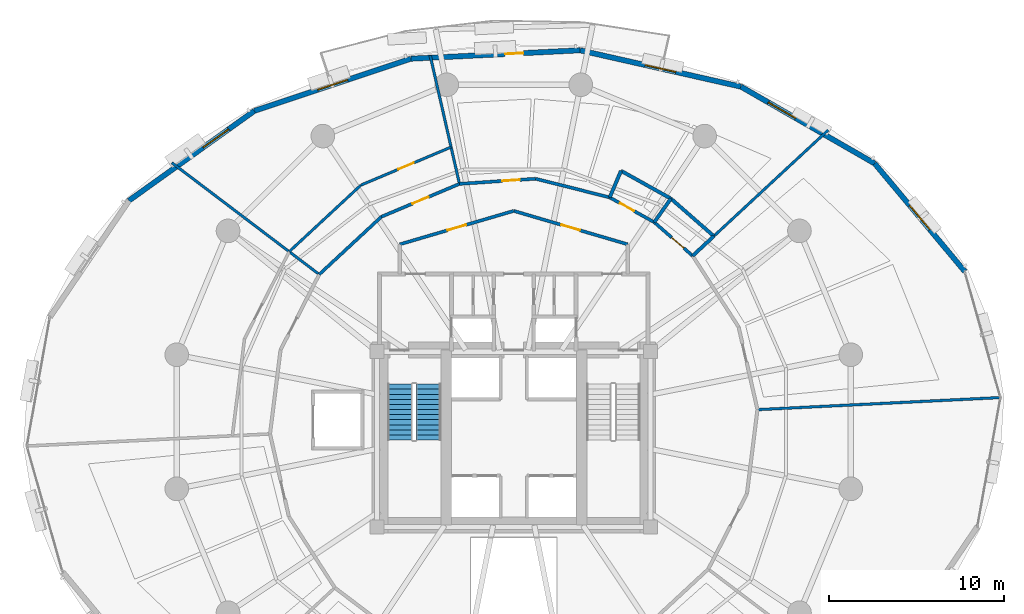
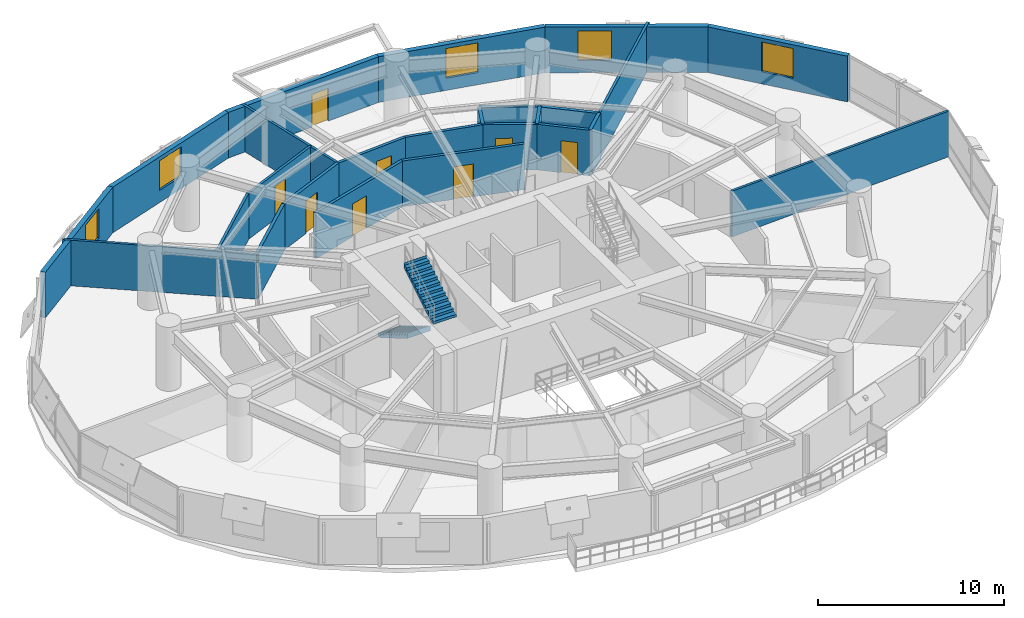
# One storey, part 12 of 16: 25 walls, 8 doors, 5 windows, 2 stair flights, 13 openings, 1 element without a shape of its own.
"""IFC4 building model written with IfcOpenShell, lengths in metres."""

from ifc_helpers import new_model, si_unit, direction, frame, frame_2d, origin, place, context, subcontext, project, spatial, polyline, rectangle, outline, extrude, material, layer, layer_set, type_object, element, fill, aggregate, save


model = new_model("IFC4")

# Units and contexts
model_context = context("Model", 3, precision=1e-05, world=origin(), true_north=direction((0.0, 1.0)))
body_context = subcontext(model_context, "Body", "Model", "MODEL_VIEW")
ifc_project = project(units=[si_unit("LENGTHUNIT", "METRE"), si_unit("AREAUNIT", "SQUARE_METRE"), si_unit("VOLUMEUNIT", "CUBIC_METRE"), si_unit("PLANEANGLEUNIT", "RADIAN"), si_unit("MASSUNIT", "GRAM", prefix="KILO"), si_unit("THERMODYNAMICTEMPERATUREUNIT", "KELVIN"), si_unit("POWERUNIT", "WATT")], contexts=[model_context])

# Site, building, storey
site_placement = place(None, origin())
site = spatial("IfcSite", under=ifc_project, at=site_placement, CompositionType="ELEMENT")
building_placement = place(site_placement, origin())
building = spatial("IfcBuilding", under=site, at=building_placement, Name="Ocrelia Relay Tower", CompositionType="ELEMENT")
storey_placement = place(building_placement, frame((0.0, 0.0, 42.60009765625)))
storey = spatial("IfcBuildingStorey", under=building, at=storey_placement, Name="L09", CompositionType="ELEMENT", Elevation=42.60009765625)

# Wall, opening, door
ifc_material_1 = material(Name="Gypsum Fireboard Partition EI60", Category="gypsum")
ifc_layer_1 = layer(ifc_material_1, 0.179931640625, Name="Gypsum Fireboard Partition EI60")
ifc_layer_set_1 = layer_set([ifc_layer_1], Name="Gypsum Fireboard Partition EI60")
wall_type_1 = type_object("IfcWallType", Name="W-CORR-EI60-180", PredefinedType="PARTITIONING", material=ifc_layer_set_1)
wall_1_placement = place(storey_placement, frame((27.5, 36.122802734375, 0.0), z_axis=(0.0, 0.0, 1.0), x_axis=(0.959546654541, 0.281549671923, 0.0)))
wall_1 = element("IfcWall", 1, at=wall_1_placement, inside=storey, type_object=wall_type_1, Name="L09 North Smoke Lobby W Screen Wall", PredefinedType="PARTITIONING", context=body_context, shape_type="SweptSolid", body=[
    extrude(rectangle(XDim=6.77392578125, YDim=0.179931640625, at=frame_2d((3.386962890625, 0.0))), origin(), (0.0, 0.0, 1.0), 3.0),
])
opening_1_placement = place(wall_1_placement, frame((2.8369140625, 0.0, 0.0)))
opening_1 = element("IfcOpeningElement", 2, at=opening_1_placement, cuts=wall_1, Name="Opening D-FD60", PredefinedType="OPENING", context=body_context, shape_type="SweptSolid", body=[
    extrude(rectangle(XDim=1.10009765625, YDim=2.14990234375, at=frame_2d((0.550048828125, 1.074951171875))), frame((0.0, 0.10009765625, 0.0), z_axis=(0.0, -1.0, 0.0), x_axis=(1.0, 0.0, 0.0)), (0.0, 0.0, 1.0), 0.199951171875),
])
ifc_material_2 = material(Name="Timber-core 60-min acoustic fire door", Category="wood")
door_type_1 = type_object("IfcDoorType", Name="DR-LOBBY-FD60-1100", OperationType="NOTDEFINED", PredefinedType="DOOR", material=ifc_material_2)
door_1_placement = place(opening_1_placement, origin())
door_1 = element("IfcDoor", 3, at=door_1_placement, inside=storey, type_object=door_type_1, Name="L09 North Smoke Lobby W Fire Door", OperationType="SINGLE_SWING_RIGHT", OverallHeight=2.14990234375, OverallWidth=1.10009765625, PredefinedType="DOOR", context=body_context, shape_type="SweptSolid", body=[
    extrude(rectangle(XDim=1.10009765625, YDim=2.14990234375, at=frame_2d((0.550048828125, 1.074951171875))), frame((0.0, 0.02490234375, 0.0), z_axis=(0.0, -1.0, 0.0), x_axis=(1.0, 0.0, 0.0)), (0.0, 0.0, 1.0), 0.050048828125),
])
fill(opening_1, door_1)

wall_2_placement = place(storey_placement, frame((34.0, 38.030029296875, 0.0), z_axis=(0.0, 0.0, 1.0), x_axis=(0.959546654541, -0.281549671923, 0.0)))
wall_2 = element("IfcWall", 4, at=wall_2_placement, inside=storey, type_object=wall_type_1, Name="L09 North Smoke Lobby E Screen Wall", PredefinedType="PARTITIONING", context=body_context, shape_type="SweptSolid", body=[
    extrude(rectangle(XDim=6.77392578125, YDim=0.179931640625, at=frame_2d((3.386962890625, 0.0))), origin(), (0.0, 0.0, 1.0), 3.0),
])
opening_2_placement = place(wall_2_placement, frame((2.8369140625, 0.0, 0.0)))
opening_2 = element("IfcOpeningElement", 5, at=opening_2_placement, cuts=wall_2, Name="Opening D-FD60", PredefinedType="OPENING", context=body_context, shape_type="SweptSolid", body=[
    extrude(rectangle(XDim=1.10009765625, YDim=2.14990234375, at=frame_2d((0.550048828125, 1.074951171875))), frame((0.0, 0.10009765625, 0.0), z_axis=(0.0, -1.0, 0.0), x_axis=(1.0, 0.0, 0.0)), (0.0, 0.0, 1.0), 0.199951171875),
])
door_2_placement = place(opening_2_placement, origin())
door_2 = element("IfcDoor", 6, at=door_2_placement, inside=storey, type_object=door_type_1, Name="L09 North Smoke Lobby E Fire Door", OperationType="SINGLE_SWING_LEFT", OverallHeight=2.14990234375, OverallWidth=1.10009765625, PredefinedType="DOOR", context=body_context, shape_type="SweptSolid", body=[
    extrude(rectangle(XDim=1.10009765625, YDim=2.14990234375, at=frame_2d((0.550048828125, 1.074951171875))), frame((0.0, 0.02490234375, 0.0), z_axis=(0.0, -1.0, 0.0), x_axis=(1.0, 0.0, 0.0)), (0.0, 0.0, 1.0), 0.050048828125),
])
fill(opening_2, door_2)

wall_3_placement = place(storey_placement, frame((44.205322265625, 35.466796875, 0.0), z_axis=(0.0, 0.0, 1.0), x_axis=(-0.753033847665, 0.657981781109, 0.0)))
wall_3 = element("IfcWall", 7, at=wall_3_placement, inside=storey, type_object=wall_type_1, Name="L09 Staff Toilet Corridor Wall", PredefinedType="PARTITIONING", context=body_context, shape_type="SweptSolid", body=[
    extrude(rectangle(XDim=2.91015625, YDim=0.179931640625, at=frame_2d((1.455078125, 0.0))), origin(), (0.0, 0.0, 1.0), 3.0),
])
opening_3_placement = place(wall_3_placement, frame((0.6689453125, 0.0, 0.0)))
opening_3 = element("IfcOpeningElement", 8, at=opening_3_placement, cuts=wall_3, Name="Opening D-WC92", PredefinedType="OPENING", context=body_context, shape_type="SweptSolid", body=[
    extrude(rectangle(XDim=0.919921875, YDim=2.10009765625, at=frame_2d((0.4599609375, 1.050048828125))), frame((0.0, 0.10009765625, 0.0), z_axis=(0.0, -1.0, 0.0), x_axis=(1.0, 0.0, 0.0)), (0.0, 0.0, 1.0), 0.199951171875),
])
ifc_material_3 = material(Name="Laminate washroom door", Category="wood")
door_type_2 = type_object("IfcDoorType", Name="DR-WC-920", OperationType="NOTDEFINED", PredefinedType="DOOR", material=ifc_material_3)
door_3_placement = place(opening_3_placement, origin())
door_3 = element("IfcDoor", 9, at=door_3_placement, inside=storey, type_object=door_type_2, Name="L09 Staff Toilet Door", OperationType="SINGLE_SWING_RIGHT", OverallHeight=2.10009765625, OverallWidth=0.919921875, PredefinedType="DOOR", context=body_context, shape_type="SweptSolid", body=[
    extrude(rectangle(XDim=0.919921875, YDim=2.10009765625, at=frame_2d((0.4599609375, 1.050048828125))), frame((0.0, 0.02490234375, 0.0), z_axis=(0.0, -1.0, 0.0), x_axis=(1.0, 0.0, 0.0)), (0.0, 0.0, 1.0), 0.050048828125),
])
fill(opening_3, door_3)

wall_4_placement = place(storey_placement, frame((42.013916015625, 37.381591796875, 0.0), z_axis=(0.0, 0.0, 1.0), x_axis=(-0.873348775144, 0.487095387943, 0.0)))
wall_4 = element("IfcWall", 10, at=wall_4_placement, inside=storey, type_object=wall_type_1, Name="L09 Accessible Toilet Corridor Wall", PredefinedType="PARTITIONING", context=body_context, shape_type="SweptSolid", body=[
    extrude(rectangle(XDim=2.91015625, YDim=0.179931640625, at=frame_2d((1.455078125, 0.0))), origin(), (0.0, 0.0, 1.0), 3.0),
])
opening_4_placement = place(wall_4_placement, frame((1.321044921875, 0.0, 0.0)))
opening_4 = element("IfcOpeningElement", 11, at=opening_4_placement, cuts=wall_4, Name="Opening D-WC92", PredefinedType="OPENING", context=body_context, shape_type="SweptSolid", body=[
    extrude(rectangle(XDim=0.919921875, YDim=2.10009765625, at=frame_2d((0.4599609375, 1.050048828125))), frame((0.0, 0.10009765625, 0.0), z_axis=(0.0, -1.0, 0.0), x_axis=(1.0, 0.0, 0.0)), (0.0, 0.0, 1.0), 0.199951171875),
])
door_4_placement = place(opening_4_placement, origin())
door_4 = element("IfcDoor", 12, at=door_4_placement, inside=storey, type_object=door_type_2, Name="L09 Accessible Toilet Door", OperationType="SINGLE_SWING_LEFT", OverallHeight=2.10009765625, OverallWidth=0.919921875, PredefinedType="DOOR", context=body_context, shape_type="SweptSolid", body=[
    extrude(rectangle(XDim=0.919921875, YDim=2.10009765625, at=frame_2d((0.4599609375, 1.050048828125))), frame((0.0, 0.02490234375, 0.0), z_axis=(0.0, -1.0, 0.0), x_axis=(1.0, 0.0, 0.0)), (0.0, 0.0, 1.0), 0.050048828125),
])
fill(opening_4, door_4)

# Wall
wall_5_placement = place(storey_placement, frame((39.472412109375, 38.799072265625, 0.0), z_axis=(0.0, 0.0, 1.0), x_axis=(-0.969655815334, 0.244474129079, 0.0)))
element("IfcWall", 13, at=wall_5_placement, inside=storey, type_object=wall_type_1, Name="L09 Network Engineering Office A Corridor Partition 1", PredefinedType="PARTITIONING", context=body_context, shape_type="SweptSolid", body=[
    extrude(rectangle(XDim=4.35498046875, YDim=0.179931640625, at=frame_2d((2.177490234375, 0.0))), origin(), (0.0, 0.0, 1.0), 3.0),
])

# Wall, opening, door
wall_6_placement = place(storey_placement, frame((35.24951171875, 39.86376953125, 0.0), z_axis=(0.0, 0.0, 1.0), x_axis=(-0.997742288071, -0.067158965115, 0.0)))
wall_6 = element("IfcWall", 14, at=wall_6_placement, inside=storey, type_object=wall_type_1, Name="L09 Network Engineering Office A Corridor Partition 2", PredefinedType="PARTITIONING", context=body_context, shape_type="SweptSolid", body=[
    extrude(rectangle(XDim=4.35498046875, YDim=0.179931640625, at=frame_2d((2.177490234375, 0.0))), origin(), (0.0, 0.0, 1.0), 3.0),
])
opening_5_placement = place(wall_6_placement, frame((0.913818359375, 0.0, 0.0)))
opening_5 = element("IfcOpeningElement", 15, at=opening_5_placement, cuts=wall_6, Name="Opening D-RM100", PredefinedType="OPENING", context=body_context, shape_type="SweptSolid", body=[
    extrude(rectangle(XDim=1.0, YDim=2.14990234375, at=frame_2d((0.5, 1.074951171875))), frame((0.0, 0.10009765625, 0.0), z_axis=(0.0, -1.0, 0.0), x_axis=(1.0, 0.0, 0.0)), (0.0, 0.0, 1.0), 0.199951171875),
])
ifc_material_4 = material(Name="Acoustic oak veneer fire door", Category="wood")
door_type_3 = type_object("IfcDoorType", Name="DR-ROOM-FD60-1000", OperationType="NOTDEFINED", PredefinedType="DOOR", material=ifc_material_4)
door_5_placement = place(opening_5_placement, origin())
door_5 = element("IfcDoor", 16, at=door_5_placement, inside=storey, type_object=door_type_3, Name="L09 Network Engineering Office A Entrance Door", OperationType="SINGLE_SWING_RIGHT", OverallHeight=2.14990234375, OverallWidth=1.0, PredefinedType="DOOR", context=body_context, shape_type="SweptSolid", body=[
    extrude(rectangle(XDim=1.0, YDim=2.14990234375, at=frame_2d((0.5, 1.074951171875))), frame((0.0, 0.02490234375, 0.0), z_axis=(0.0, -1.0, 0.0), x_axis=(1.0, 0.0, 0.0)), (0.0, 0.0, 1.0), 0.050048828125),
])
fill(opening_5, door_5)

wall_7_placement = place(storey_placement, frame((30.904296875, 39.5712890625, 0.0), z_axis=(0.0, 0.0, 1.0), x_axis=(-0.921533629475, -0.388298557488, 0.0)))
wall_7 = element("IfcWall", 17, at=wall_7_placement, inside=storey, type_object=wall_type_1, Name="L09 Operations Office B Corridor Partition 1", PredefinedType="PARTITIONING", context=body_context, shape_type="SweptSolid", body=[
    extrude(rectangle(XDim=4.83447265625, YDim=0.179931640625, at=frame_2d((2.417236328125, 0.0))), origin(), (0.0, 0.0, 1.0), 3.0),
])
opening_6_placement = place(wall_7_placement, frame((1.917236328125, 0.0, 0.0)))
opening_6 = element("IfcOpeningElement", 18, at=opening_6_placement, cuts=wall_7, Name="Opening D-RM100", PredefinedType="OPENING", context=body_context, shape_type="SweptSolid", body=[
    extrude(rectangle(XDim=1.0, YDim=2.14990234375, at=frame_2d((0.5, 1.074951171875))), frame((0.0, 0.10009765625, 0.0), z_axis=(0.0, -1.0, 0.0), x_axis=(1.0, 0.0, 0.0)), (0.0, 0.0, 1.0), 0.199951171875),
])
door_6_placement = place(opening_6_placement, origin())
door_6 = element("IfcDoor", 19, at=door_6_placement, inside=storey, type_object=door_type_3, Name="L09 Operations Office B Entrance Door", OperationType="SINGLE_SWING_LEFT", OverallHeight=2.14990234375, OverallWidth=1.0, PredefinedType="DOOR", context=body_context, shape_type="SweptSolid", body=[
    extrude(rectangle(XDim=1.0, YDim=2.14990234375, at=frame_2d((0.5, 1.074951171875))), frame((0.0, 0.02490234375, 0.0), z_axis=(0.0, -1.0, 0.0), x_axis=(1.0, 0.0, 0.0)), (0.0, 0.0, 1.0), 0.050048828125),
])
fill(opening_6, door_6)

# Wall
wall_8_placement = place(storey_placement, frame((26.44921875, 37.694091796875, 0.0), z_axis=(0.0, 0.0, 1.0), x_axis=(-0.733122561519, -0.680096544464, 0.0)))
element("IfcWall", 20, at=wall_8_placement, inside=storey, type_object=wall_type_1, Name="L09 Operations Office B Corridor Partition 2", PredefinedType="PARTITIONING", context=body_context, shape_type="SweptSolid", body=[
    extrude(rectangle(XDim=4.83447265625, YDim=0.179931640625, at=frame_2d((2.417236328125, 0.0))), origin(), (0.0, 0.0, 1.0), 3.0),
])

# Wall, opening, window
ifc_material_5 = material(Name="Precast concrete C40/50 with oxide terracotta", Category="masonry")
ifc_layer_2 = layer(ifc_material_5, 0.300048828125, Name="Precast concrete C40/50 with oxide terracotta")
ifc_layer_set_2 = layer_set([ifc_layer_2], Name="Precast concrete C40/50 with oxide terracotta")
wall_type_2 = type_object("IfcWallType", Name="W-EXT-TERR-300", PredefinedType="SOLIDWALL", material=ifc_layer_set_2)
wall_9_placement = place(storey_placement, frame((59.72900390625, 34.574951171875, 0.0), z_axis=(0.0, 0.0, 1.0), x_axis=(-0.640779936228, 0.767724607739, 0.0)))
wall_9 = element("IfcWall", 21, at=wall_9_placement, inside=storey, type_object=wall_type_2, Name="L09 Oxide Terracotta Facade Wall 02", PredefinedType="SOLIDWALL", context=body_context, shape_type="SweptSolid", body=[
    extrude(rectangle(XDim=8.021728515625, YDim=0.300048828125, at=frame_2d((4.0107421875, 0.0))), origin(), (0.0, 0.0, 1.0), 3.0),
])
opening_7_placement = place(wall_9_placement, frame((3.111083984375, 0.0, 0.800048828125)))
opening_7 = element("IfcOpeningElement", 22, at=opening_7_placement, cuts=wall_9, Name="Opening W-02", PredefinedType="OPENING", context=body_context, shape_type="SweptSolid", body=[
    extrude(rectangle(XDim=1.800048828125, YDim=1.949951171875, at=frame_2d((0.89990234375, 0.97509765625))), frame((0.0, 0.16015625, 0.0), z_axis=(0.0, -1.0, 0.0), x_axis=(1.0, 0.0, 0.0)), (0.0, 0.0, 1.0), 0.320068359375),
])
ifc_material_6 = material(Name="Clear double-glazed low-E glass", Category="glass")
window_type = type_object("IfcWindowType", Name="WIN-Z1-1800x2100", PartitioningType="DOUBLE_PANEL_VERTICAL", PredefinedType="WINDOW", material=ifc_material_6)
window_1_placement = place(opening_7_placement, origin())
window_1 = element("IfcWindow", 23, at=window_1_placement, inside=storey, type_object=window_type, Name="L09 Facade Module Window 02", OverallHeight=1.949951171875, OverallWidth=1.800048828125, PartitioningType="SINGLE_PANEL", PredefinedType="WINDOW", context=body_context, shape_type="SweptSolid", body=[
    extrude(rectangle(XDim=1.800048828125, YDim=1.949951171875, at=frame_2d((0.89990234375, 0.97509765625))), frame((0.0, 0.030029296875, 0.0), z_axis=(0.0, -1.0, 0.0), x_axis=(1.0, 0.0, 0.0)), (0.0, 0.0, 1.0), 0.06005859375),
])
fill(opening_7, window_1)

wall_10_placement = place(storey_placement, frame((54.5888671875, 40.7333984375, 0.0), z_axis=(0.0, 0.0, 1.0), x_axis=(-0.867006774095, 0.498296351254, 0.0)))
wall_10 = element("IfcWall", 24, at=wall_10_placement, inside=storey, type_object=wall_type_2, Name="L09 Oxide Terracotta Facade Wall 03", PredefinedType="SOLIDWALL", context=body_context, shape_type="SweptSolid", body=[
    extrude(rectangle(XDim=8.792724609375, YDim=0.300048828125, at=frame_2d((4.396484375, 0.0))), origin(), (0.0, 0.0, 1.0), 3.0),
])
opening_8_placement = place(wall_10_placement, frame((5.201904296875, 0.0, 0.800048828125)))
opening_8 = element("IfcOpeningElement", 25, at=opening_8_placement, cuts=wall_10, Name="Opening W-02", PredefinedType="OPENING", context=body_context, shape_type="SweptSolid", body=[
    extrude(rectangle(XDim=1.800048828125, YDim=1.949951171875, at=frame_2d((0.89990234375, 0.97509765625))), frame((0.0, 0.16015625, 0.0), z_axis=(0.0, -1.0, 0.0), x_axis=(1.0, 0.0, 0.0)), (0.0, 0.0, 1.0), 0.320068359375),
])
window_2_placement = place(opening_8_placement, origin())
window_2 = element("IfcWindow", 26, at=window_2_placement, inside=storey, type_object=window_type, Name="L09 Facade Module Window 03", OverallHeight=1.949951171875, OverallWidth=1.800048828125, PartitioningType="SINGLE_PANEL", PredefinedType="WINDOW", context=body_context, shape_type="SweptSolid", body=[
    extrude(rectangle(XDim=1.800048828125, YDim=1.949951171875, at=frame_2d((0.89990234375, 0.97509765625))), frame((0.0, 0.030029296875, 0.0), z_axis=(0.0, -1.0, 0.0), x_axis=(1.0, 0.0, 0.0)), (0.0, 0.0, 1.0), 0.06005859375),
])
fill(opening_8, window_2)

wall_11_placement = place(storey_placement, frame((46.965576171875, 45.11474609375, 0.0), z_axis=(0.0, 0.0, 1.0), x_axis=(-0.975413687515, 0.22038180099, 0.0)))
wall_11 = element("IfcWall", 27, at=wall_11_placement, inside=storey, type_object=wall_type_2, Name="L09 Oxide Terracotta Facade Wall 04", PredefinedType="SOLIDWALL", context=body_context, shape_type="SweptSolid", body=[
    extrude(rectangle(XDim=9.418701171875, YDim=0.300048828125, at=frame_2d((4.70947265625, 0.0))), origin(), (0.0, 0.0, 1.0), 3.0),
])
opening_9_placement = place(wall_11_placement, frame((3.80908203125, 0.0, 0.800048828125)))
opening_9 = element("IfcOpeningElement", 28, at=opening_9_placement, cuts=wall_11, Name="Opening W-02", PredefinedType="OPENING", context=body_context, shape_type="SweptSolid", body=[
    extrude(rectangle(XDim=1.800048828125, YDim=1.949951171875, at=frame_2d((0.89990234375, 0.97509765625))), frame((0.0, 0.16015625, 0.0), z_axis=(0.0, -1.0, 0.0), x_axis=(1.0, 0.0, 0.0)), (0.0, 0.0, 1.0), 0.320068359375),
])
window_3_placement = place(opening_9_placement, origin())
window_3 = element("IfcWindow", 29, at=window_3_placement, inside=storey, type_object=window_type, Name="L09 Facade Module Window 04", OverallHeight=1.949951171875, OverallWidth=1.800048828125, PartitioningType="SINGLE_PANEL", PredefinedType="WINDOW", context=body_context, shape_type="SweptSolid", body=[
    extrude(rectangle(XDim=1.800048828125, YDim=1.949951171875, at=frame_2d((0.89990234375, 0.97509765625))), frame((0.0, 0.030029296875, 0.0), z_axis=(0.0, -1.0, 0.0), x_axis=(1.0, 0.0, 0.0)), (0.0, 0.0, 1.0), 0.06005859375),
])
fill(opening_9, window_3)

# Wall, opening, door
wall_12_placement = place(storey_placement, frame((37.778564453125, 47.1904296875, 0.0), z_axis=(0.0, 0.0, 1.0), x_axis=(-0.998763538051, -0.049713127647, 0.0)))
wall_12 = element("IfcWall", 30, at=wall_12_placement, inside=storey, type_object=wall_type_2, Name="L09 Oxide Terracotta Facade Wall 05", PredefinedType="SOLIDWALL", context=body_context, shape_type="SweptSolid", body=[
    extrude(rectangle(XDim=9.655029296875, YDim=0.300048828125, at=frame_2d((4.82763671875, 0.0))), origin(), (0.0, 0.0, 1.0), 3.0),
])
opening_10_placement = place(wall_12_placement, frame((3.22998046875, 0.0, 0.0)))
opening_10 = element("IfcOpeningElement", 31, at=opening_10_placement, cuts=wall_12, Name="Opening DB-105", PredefinedType="OPENING", context=body_context, shape_type="SweptSolid", body=[
    extrude(rectangle(XDim=1.050048828125, YDim=2.14990234375, at=frame_2d((0.52490234375, 1.074951171875))), frame((0.0, 0.16015625, 0.0), z_axis=(0.0, -1.0, 0.0), x_axis=(1.0, 0.0, 0.0)), (0.0, 0.0, 1.0), 0.320068359375),
])
ifc_material_7 = material(Name="Thermally broken aluminium and clear glass", Category="aluminium")
door_type_4 = type_object("IfcDoorType", Name="DR-BALC-1050", OperationType="NOTDEFINED", PredefinedType="DOOR", material=ifc_material_7)
door_7_placement = place(opening_10_placement, origin())
door_7 = element("IfcDoor", 32, at=door_7_placement, inside=storey, type_object=door_type_4, Name="L09 Planted Loggia Balcony Door B1", OperationType="SINGLE_SWING_LEFT", OverallHeight=2.14990234375, OverallWidth=1.050048828125, PredefinedType="DOOR", context=body_context, shape_type="SweptSolid", body=[
    extrude(rectangle(XDim=1.050048828125, YDim=2.14990234375, at=frame_2d((0.52490234375, 1.074951171875))), frame((0.0, 0.02490234375, 0.0), z_axis=(0.0, -1.0, 0.0), x_axis=(1.0, 0.0, 0.0)), (0.0, 0.0, 1.0), 0.050048828125),
])
fill(opening_10, door_7)

# Wall, opening, window
wall_13_placement = place(storey_placement, frame((28.135498046875, 46.71044921875, 0.0), z_axis=(0.0, 0.0, 1.0), x_axis=(-0.948698849343, -0.316181108314, 0.0)))
wall_13 = element("IfcWall", 33, at=wall_13_placement, inside=storey, type_object=wall_type_2, Name="L09 Oxide Terracotta Facade Wall 06", PredefinedType="SOLIDWALL", context=body_context, shape_type="SweptSolid", body=[
    extrude(rectangle(XDim=9.418701171875, YDim=0.300048828125, at=frame_2d((4.70947265625, 0.0))), origin(), (0.0, 0.0, 1.0), 3.0),
])
opening_11_placement = place(wall_13_placement, frame((3.80908203125, 0.0, 0.800048828125)))
opening_11 = element("IfcOpeningElement", 34, at=opening_11_placement, cuts=wall_13, Name="Opening W-02", PredefinedType="OPENING", context=body_context, shape_type="SweptSolid", body=[
    extrude(rectangle(XDim=1.800048828125, YDim=1.949951171875, at=frame_2d((0.89990234375, 0.97509765625))), frame((0.0, 0.16015625, 0.0), z_axis=(0.0, -1.0, 0.0), x_axis=(1.0, 0.0, 0.0)), (0.0, 0.0, 1.0), 0.320068359375),
])
window_4_placement = place(opening_11_placement, origin())
window_4 = element("IfcWindow", 35, at=window_4_placement, inside=storey, type_object=window_type, Name="L09 Facade Module Window 06", OverallHeight=1.949951171875, OverallWidth=1.800048828125, PartitioningType="SINGLE_PANEL", PredefinedType="WINDOW", context=body_context, shape_type="SweptSolid", body=[
    extrude(rectangle(XDim=1.800048828125, YDim=1.949951171875, at=frame_2d((0.89990234375, 0.97509765625))), frame((0.0, 0.030029296875, 0.0), z_axis=(0.0, -1.0, 0.0), x_axis=(1.0, 0.0, 0.0)), (0.0, 0.0, 1.0), 0.06005859375),
])
fill(opening_11, window_4)

wall_14_placement = place(storey_placement, frame((19.199951171875, 43.732421875, 0.0), z_axis=(0.0, 0.0, 1.0), x_axis=(-0.813220978615, -0.581955015392, 0.0)))
wall_14 = element("IfcWall", 36, at=wall_14_placement, inside=storey, type_object=wall_type_2, Name="L09 Oxide Terracotta Facade Wall 07", PredefinedType="SOLIDWALL", context=body_context, shape_type="SweptSolid", body=[
    extrude(rectangle(XDim=8.792724609375, YDim=0.300048828125, at=frame_2d((4.396484375, 0.0))), origin(), (0.0, 0.0, 1.0), 3.0),
])
opening_12_placement = place(wall_14_placement, frame((1.7900390625, 0.0, 0.800048828125)))
opening_12 = element("IfcOpeningElement", 37, at=opening_12_placement, cuts=wall_14, Name="Opening W-02", PredefinedType="OPENING", context=body_context, shape_type="SweptSolid", body=[
    extrude(rectangle(XDim=1.800048828125, YDim=1.949951171875, at=frame_2d((0.89990234375, 0.97509765625))), frame((0.0, 0.16015625, 0.0), z_axis=(0.0, -1.0, 0.0), x_axis=(1.0, 0.0, 0.0)), (0.0, 0.0, 1.0), 0.320068359375),
])
window_5_placement = place(opening_12_placement, origin())
window_5 = element("IfcWindow", 38, at=window_5_placement, inside=storey, type_object=window_type, Name="L09 Facade Module Window 07", OverallHeight=1.949951171875, OverallWidth=1.800048828125, PartitioningType="SINGLE_PANEL", PredefinedType="WINDOW", context=body_context, shape_type="SweptSolid", body=[
    extrude(rectangle(XDim=1.800048828125, YDim=1.949951171875, at=frame_2d((0.89990234375, 0.97509765625))), frame((0.0, 0.030029296875, 0.0), z_axis=(0.0, -1.0, 0.0), x_axis=(1.0, 0.0, 0.0)), (0.0, 0.0, 1.0), 0.06005859375),
])
fill(opening_12, window_5)

# Walls
ifc_material_8 = material(Name="Acoustic Fireboard Partition EI60", Category="gypsum")
ifc_layer_3 = layer(ifc_material_8, 0.14990234375, Name="Acoustic Fireboard Partition EI60")
ifc_layer_set_3 = layer_set([ifc_layer_3], Name="Acoustic Fireboard Partition EI60")
wall_type_3 = type_object("IfcWallType", Name="W-PART-150", PredefinedType="PARTITIONING", material=ifc_layer_set_3)
wall_15_placement = place(storey_placement, frame((45.414794921875, 36.5888671875, 0.0), z_axis=(0.0, 0.0, 1.0), x_axis=(0.733147050815, 0.680070144824, 0.0)))
element("IfcWall", 39, at=wall_15_placement, inside=storey, type_object=wall_type_3, Name="L09 Network Engineering Office A Radial Partition", PredefinedType="PARTITIONING", context=body_context, shape_type="SweptSolid", body=[
    extrude(rectangle(XDim=8.900634765625, YDim=0.14990234375, at=frame_2d((4.4501953125, 0.0))), origin(), (0.0, 0.0, 1.0), 3.0),
])
wall_16_placement = place(storey_placement, frame((30.904296875, 39.5712890625, 0.0), z_axis=(0.0, 0.0, 1.0), x_axis=(-0.222400432179, 0.974955408091, 0.0)))
element("IfcWall", 40, at=wall_16_placement, inside=storey, type_object=wall_type_3, Name="L09 Network Engineering Office A Radial Partition", PredefinedType="PARTITIONING", context=body_context, shape_type="SweptSolid", body=[
    extrude(rectangle(XDim=7.51416015625, YDim=0.14990234375, at=frame_2d((3.757080078125, 0.0))), origin(), (0.0, 0.0, 1.0), 3.0),
])
wall_17_placement = place(storey_placement, frame((22.905029296875, 34.40625, 0.0), z_axis=(0.0, 0.0, 1.0), x_axis=(-0.79706649603, 0.603891547305, 0.0)))
element("IfcWall", 41, at=wall_17_placement, inside=storey, type_object=wall_type_3, Name="L09 Operations Office B Radial Partition", PredefinedType="PARTITIONING", context=body_context, shape_type="SweptSolid", body=[
    extrude(rectangle(XDim=10.550537109375, YDim=0.14990234375, at=frame_2d((5.275390625, 0.0))), origin(), (0.0, 0.0, 1.0), 3.0),
])

# Wall, opening, door
wall_18_placement = place(storey_placement, frame((30.426025390625, 41.66748046875, 0.0), z_axis=(0.0, 0.0, 1.0), x_axis=(-0.921524174523, -0.388320995787, 0.0)))
wall_18 = element("IfcWall", 42, at=wall_18_placement, inside=storey, type_object=wall_type_3, Name="L09 Perimeter Operations Office B Mid-Ring Partition 1", PredefinedType="PARTITIONING", context=body_context, shape_type="SweptSolid", body=[
    extrude(rectangle(XDim=5.5810546875, YDim=0.14990234375, at=frame_2d((2.79052734375, 0.0))), origin(), (0.0, 0.0, 1.0), 3.0),
])
opening_13_placement = place(wall_18_placement, frame((2.3154296875, 0.0, 0.0)))
opening_13 = element("IfcOpeningElement", 43, at=opening_13_placement, cuts=wall_18, Name="Opening D-RM95", PredefinedType="OPENING", context=body_context, shape_type="SweptSolid", body=[
    extrude(rectangle(XDim=0.949951171875, YDim=2.14990234375, at=frame_2d((0.47509765625, 1.074951171875))), frame((0.0, 0.0849609375, 0.0), z_axis=(0.0, -1.0, 0.0), x_axis=(1.0, 0.0, 0.0)), (0.0, 0.0, 1.0), 0.169921875),
])
door_type_5 = type_object("IfcDoorType", Name="DR-ROOM-950", OperationType="NOTDEFINED", PredefinedType="DOOR", material=ifc_material_4)
door_8_placement = place(opening_13_placement, origin())
door_8 = element("IfcDoor", 44, at=door_8_placement, inside=storey, type_object=door_type_5, Name="L09 Perimeter Operations Office B Connecting Door", OperationType="SINGLE_SWING_RIGHT", OverallHeight=2.14990234375, OverallWidth=0.949951171875, PredefinedType="DOOR", context=body_context, shape_type="SweptSolid", body=[
    extrude(rectangle(XDim=0.949951171875, YDim=2.14990234375, at=frame_2d((0.47509765625, 1.074951171875))), frame((0.0, 0.02490234375, 0.0), z_axis=(0.0, -1.0, 0.0), x_axis=(1.0, 0.0, 0.0)), (0.0, 0.0, 1.0), 0.050048828125),
])
fill(opening_13, door_8)

# Walls
wall_19_placement = place(storey_placement, frame((25.282958984375, 39.500244140625, 0.0), z_axis=(0.0, 0.0, 1.0), x_axis=(-0.733119036789, -0.680100343992, 0.0)))
element("IfcWall", 45, at=wall_19_placement, inside=storey, type_object=wall_type_3, Name="L09 Perimeter Operations Office B Mid-Ring Partition 2", PredefinedType="PARTITIONING", context=body_context, shape_type="SweptSolid", body=[
    extrude(rectangle(XDim=5.5810546875, YDim=0.14990234375, at=frame_2d((2.79052734375, 0.0))), origin(), (0.0, 0.0, 1.0), 3.0),
])
wall_20_placement = place(storey_placement, frame((47.90283203125, 26.692138671875, 0.0), z_axis=(0.0, 0.0, 1.0), x_axis=(0.99876293138, 0.049725314484, 0.0)))
element("IfcWall", 46, at=wall_20_placement, inside=storey, type_object=wall_type_3, Name="L09 Fiber Patch Store Radial Partition", PredefinedType="PARTITIONING", context=body_context, shape_type="SweptSolid", body=[
    extrude(rectangle(XDim=13.8798828125, YDim=0.14990234375, at=frame_2d((6.93994140625, 0.0))), origin(), (0.0, 0.0, 1.0), 3.0),
])
ifc_material_9 = material(Name="Moisture-Resistant Fireboard Chase Wall EI60", Category="gypsum")
ifc_layer_4 = layer(ifc_material_9, 0.199951171875, Name="Moisture-Resistant Fireboard Chase Wall EI60")
ifc_layer_set_4 = layer_set([ifc_layer_4], Name="Moisture-Resistant Fireboard Chase Wall EI60")
wall_type_4 = type_object("IfcWallType", Name="W-PLUMB-200", PredefinedType="PLUMBINGWALL", material=ifc_layer_set_4)
for number, where, z_axis, x_axis, name in (
    (47, (44.205322265625, 35.466796875, 0.0), (0.0, 0.0, 1.0), (0.733099110451, 0.680121823099, 0.0), "L09 Staff Toilet Plumbing Radial Wall"),
    (48, (42.013916015625, 37.381591796875, 0.0), (0.0, 0.0, 1.0), (0.575724287065, 0.817643898823, 0.0), "L09 Staff Toilet Plumbing Radial Wall"),
):
    element("IfcWall", number, at=place(storey_placement, frame(where, z_axis=z_axis, x_axis=x_axis)), inside=storey, type_object=wall_type_4, Name=name, PredefinedType="PLUMBINGWALL", context=body_context, shape_type="SweptSolid", body=[
        extrude(rectangle(XDim=1.64990234375, YDim=0.199951171875, at=frame_2d((0.824951171875, 0.0))), origin(), (0.0, 0.0, 1.0), 3.0),
    ])
wall_21_placement = place(storey_placement, frame((45.414794921875, 36.5888671875, 0.0), z_axis=(0.0, 0.0, 1.0), x_axis=(-0.752990077627, 0.658031870806, 0.0)))
element("IfcWall", 49, at=wall_21_placement, inside=storey, type_object=wall_type_4, Name="L09 Staff Toilet Back Plumbing Wall", PredefinedType="PLUMBINGWALL", context=body_context, shape_type="SweptSolid", body=[
    extrude(rectangle(XDim=3.2548828125, YDim=0.199951171875, at=frame_2d((1.62744140625, 0.0))), origin(), (0.0, 0.0, 1.0), 3.0),
])
wall_22_placement = place(storey_placement, frame((39.472412109375, 38.799072265625, 0.0), z_axis=(0.0, 0.0, 1.0), x_axis=(0.393097774941, 0.919496677176, 0.0)))
element("IfcWall", 50, at=wall_22_placement, inside=storey, type_object=wall_type_4, Name="L09 Accessible Toilet Plumbing Radial Wall", PredefinedType="PLUMBINGWALL", context=body_context, shape_type="SweptSolid", body=[
    extrude(rectangle(XDim=1.650146484375, YDim=0.199951171875, at=frame_2d((0.8251953125, 0.0))), origin(), (0.0, 0.0, 1.0), 3.0),
])
wall_23_placement = place(storey_placement, frame((42.9638671875, 38.730712890625, 0.0), z_axis=(0.0, 0.0, 1.0), x_axis=(-0.873324603811, 0.487138723957, 0.0)))
element("IfcWall", 51, at=wall_23_placement, inside=storey, type_object=wall_type_4, Name="L09 Accessible Toilet Back Plumbing Wall", PredefinedType="PLUMBINGWALL", context=body_context, shape_type="SweptSolid", body=[
    extrude(rectangle(XDim=3.255126953125, YDim=0.199951171875, at=frame_2d((1.62744140625, 0.0))), origin(), (0.0, 0.0, 1.0), 3.0),
])

# Stair, stair flights
ifc_material_10 = material(Name="Concrete C50/60", Category="concrete")
stair_type = type_object("IfcStairType", Name="ST-DL-1420-R175", PredefinedType="HALF_TURN_STAIR", material=ifc_material_10)
stair_placement = place(storey_placement, origin())
stair = element("IfcStair", 52, at=stair_placement, inside=storey, type_object=stair_type, Name="L09 West Core Exit Stair ST1", PredefinedType="HALF_TURN_STAIR")
stair_flight_type = type_object("IfcStairFlightType", Name="STF-DL-1420-R175", PredefinedType="STRAIGHT", material=ifc_material_10)
stair_flight_1_placement = place(storey_placement, frame((27.52001953125, 28.14990234375, 0.0), z_axis=(0.0, 0.0, 1.0), x_axis=(0.0, -1.0, 0.0)))
stair_flight_1 = element("IfcStairFlight", 53, at=stair_flight_1_placement, type_object=stair_flight_type, Name="ST1 flight 1", NumberOfRisers=12, NumberOfTreads=11, PredefinedType="STRAIGHT", RiserHeight=0.175, TreadLength=0.29, context=body_context, shape_type="SweptSolid", body=[
    extrude(outline(polyline([(-0.008056640625, 0.0), (-0.008056640625, 0.175048828125), (0.0, 0.175048828125), (0.2900390625, 0.175048828125), (0.2900390625, 0.35009765625), (0.580078125, 0.35009765625), (0.580078125, 0.52490234375), (0.8701171875, 0.52490234375), (0.8701171875, 0.699951171875), (1.159912109375, 0.699951171875), (1.159912109375, 0.875), (1.449951171875, 0.875), (1.449951171875, 1.050048828125), (1.739990234375, 1.050048828125), (1.739990234375, 1.22509765625), (2.030029296875, 1.22509765625), (2.030029296875, 1.39990234375), (2.320068359375, 1.39990234375), (2.320068359375, 1.574951171875), (2.610107421875, 1.574951171875), (2.610107421875, 1.75), (2.89990234375, 1.75), (2.89990234375, 1.925048828125), (3.18994140625, 1.925048828125), (3.18994140625, 2.10009765625), (3.197998046875, 2.10009765625), (3.197998046875, 1.75), (0.2900390625, 0.0), (-0.008056640625, 0.0)])), frame((0.0, 0.7099609375, 0.0), z_axis=(0.0, -1.0, 0.0), x_axis=(1.0, 0.0, 0.0)), (0.0, 0.0, 1.0), 1.419921875),
])
stair_flight_2_placement = place(storey_placement, frame((29.139892578125, 24.9599609375, 2.099853515625), z_axis=(0.0, 0.0, 1.0), x_axis=(0.0, 1.0, 0.0)))
stair_flight_2 = element("IfcStairFlight", 54, at=stair_flight_2_placement, type_object=stair_flight_type, Name="ST1 flight 2", NumberOfRisers=12, NumberOfTreads=11, PredefinedType="STRAIGHT", RiserHeight=0.175, TreadLength=0.29, context=body_context, shape_type="SweptSolid", body=[
    extrude(outline(polyline([(-0.008056640625, 0.0), (-0.008056640625, 0.175048828125), (0.0, 0.175048828125), (0.2900390625, 0.175048828125), (0.2900390625, 0.35009765625), (0.580078125, 0.35009765625), (0.580078125, 0.52490234375), (0.8701171875, 0.52490234375), (0.8701171875, 0.699951171875), (1.159912109375, 0.699951171875), (1.159912109375, 0.875), (1.449951171875, 0.875), (1.449951171875, 1.050048828125), (1.739990234375, 1.050048828125), (1.739990234375, 1.22509765625), (2.030029296875, 1.22509765625), (2.030029296875, 1.39990234375), (2.320068359375, 1.39990234375), (2.320068359375, 1.574951171875), (2.610107421875, 1.574951171875), (2.610107421875, 1.75), (2.89990234375, 1.75), (2.89990234375, 1.925048828125), (3.18994140625, 1.925048828125), (3.18994140625, 2.10009765625), (3.197998046875, 2.10009765625), (3.197998046875, 1.75), (0.2900390625, 0.0), (-0.008056640625, 0.0)])), frame((0.0, 0.7099609375, 0.0), z_axis=(0.0, -1.0, 0.0), x_axis=(1.0, 0.0, 0.0)), (0.0, 0.0, 1.0), 1.419921875),
])
aggregate(stair, [stair_flight_1, stair_flight_2])

save(model, "model.ifc")
